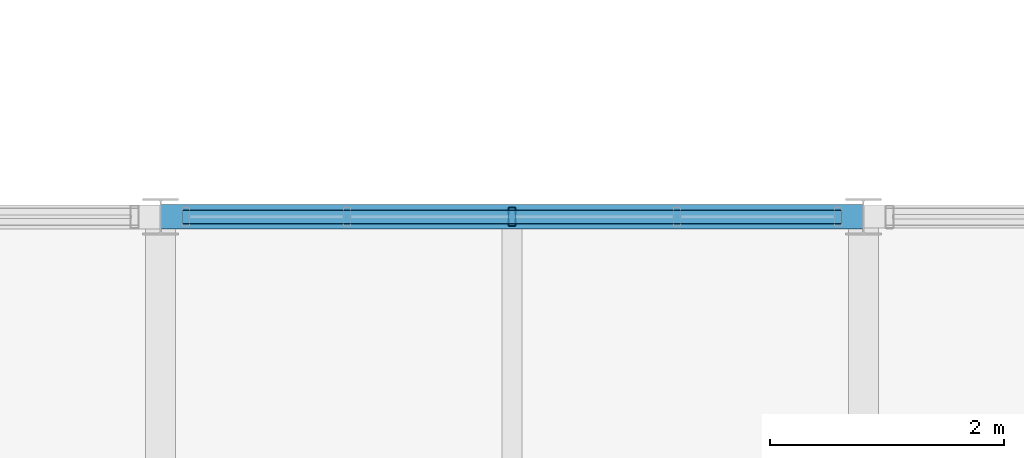
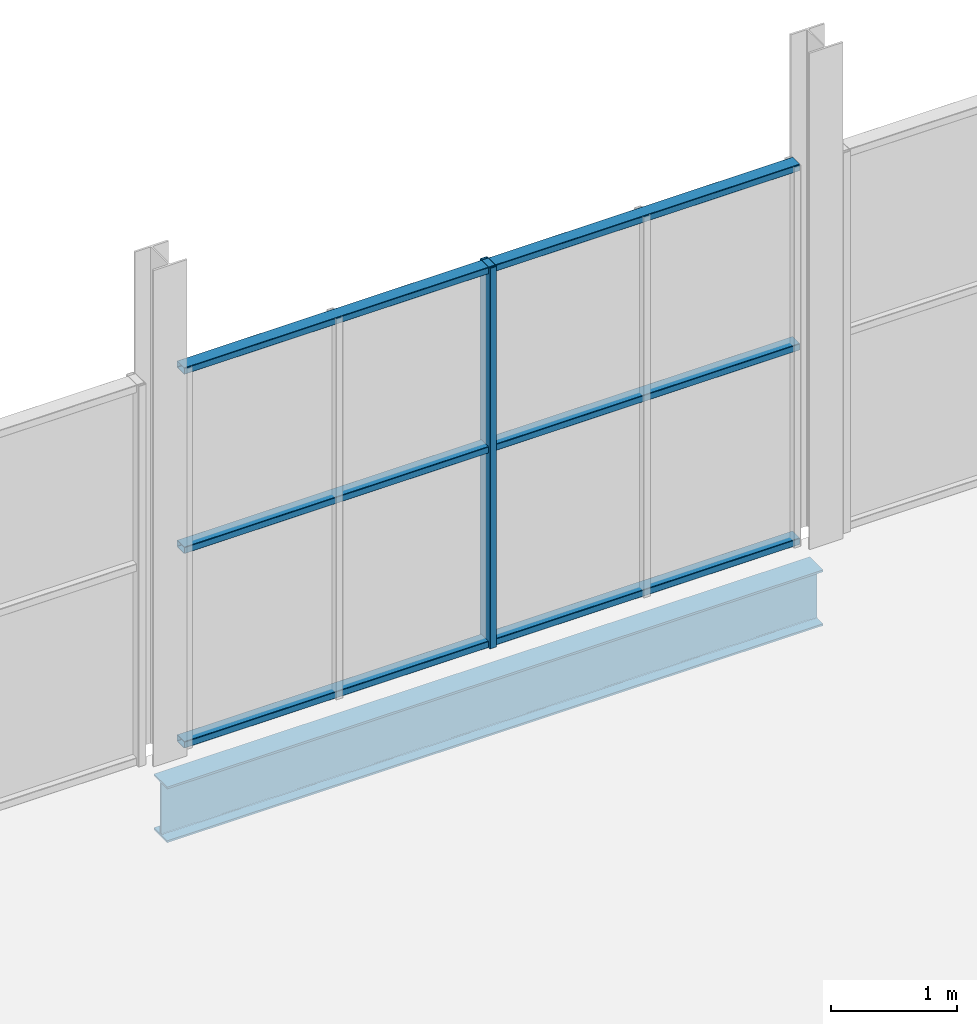
# One storey, part 77 of 114: 4 members, 1 beam, 1 element without a shape of its own.
"""IFC4 building model written with IfcOpenShell, lengths in metres."""

from ifc_helpers import new_model, si_unit, direction, frame, origin, origin_2d, place, context, subcontext, project, spatial, hollow_rectangle, i_section, extrude, material, material_profile, profile_set, type_object, element, aggregate, save


model = new_model("IFC4")

# Units and contexts
model_context = context("Model", 3, precision=1e-05, world=origin(), true_north=direction((0.0, 1.0)))
body_context = subcontext(model_context, "Body", "Model", "MODEL_VIEW")
ifc_project = project(units=[si_unit("LENGTHUNIT", "METRE"), si_unit("AREAUNIT", "SQUARE_METRE"), si_unit("VOLUMEUNIT", "CUBIC_METRE"), si_unit("PLANEANGLEUNIT", "RADIAN"), si_unit("MASSUNIT", "GRAM", prefix="KILO")], contexts=[model_context])

# Site, building, storey
site_placement = place(None, origin())
site = spatial("IfcSite", under=ifc_project, at=site_placement, CompositionType="ELEMENT")
building_placement = place(site_placement, origin())
building = spatial("IfcBuilding", under=site, at=building_placement, Name="Verrall Gate Interchange", CompositionType="ELEMENT")
storey_placement = place(building_placement, frame((0.0, 0.0, 6.60009765625)))
storey = spatial("IfcBuildingStorey", under=building, at=storey_placement, Name="L02", CompositionType="ELEMENT", Elevation=6.60009765625)

# Beam
ifc_material_1 = material(Name="Structural Steel CSA G40.21 350W", Category="steel")
ifc_material_profile_1 = material_profile(ifc_material_1, i_section(OverallWidth=0.2109375, OverallDepth=0.5390625, WebThickness=0.01171875, FlangeThickness=0.018798828125, FilletRadius=0.013916015625, at=origin_2d()), Name="W530x109")
ifc_profile_set_1 = profile_set([ifc_material_profile_1], Name="Structural Steel CSA G40.21 350W")
beam_type = type_object("IfcBeamType", Name="B-10 Structural Beam W530x109", PredefinedType="BEAM", material=ifc_profile_set_1)
beam_placement = place(storey_placement, frame((156.0, 56.0, -0.549560546875), z_axis=(1.0, 0.0, 0.0), x_axis=(0.0, 1.0, 0.0)))
element("IfcBeam", 1, at=beam_placement, inside=storey, type_object=beam_type, Name="L02 Girder BM-L02-1608 (B-10)", PredefinedType="BEAM", context=body_context, shape_type="SweptSolid", body=[
    extrude(i_section(OverallWidth=0.2109375, OverallDepth=0.5390625, WebThickness=0.01171875, FlangeThickness=0.018798828125, FilletRadius=0.013916015625, at=origin_2d()), origin(), (0.0, 0.0, 1.0), 6.0),
])

# Curtain wall, members
ifc_material_2 = material(Name="Thermally Broken Anodized Aluminium Curtain Wall Framing", Category="aluminium")
curtain_wall_type = type_object("IfcCurtainWallType", Name="CW-28 Unitized Curtain Wall 5629x3680", PredefinedType="NOTDEFINED", material=ifc_material_2)
curtain_wall_placement = place(storey_placement, origin())
curtain_wall = element("IfcCurtainWall", 2, at=curtain_wall_placement, inside=storey, type_object=curtain_wall_type, Name="L02 Unitized Curtain Wall CW-L02-096", PredefinedType="NOTDEFINED")
ifc_material_3 = material(Name="Thermally Broken Anodized Aluminium Curtain Wall Framing", Category="aluminium")
ifc_material_profile_2 = material_profile(ifc_material_3, hollow_rectangle(XDim=0.06494140625, YDim=0.159912109375, WallThickness=0.00390625, InnerFilletRadius=0.00390625, OuterFilletRadius=0.008056640625, at=origin_2d()), Name="CWM160x65x4")
ifc_profile_set_2 = profile_set([ifc_material_profile_2], Name="Thermally Broken Anodized Aluminium Curtain Wall Framing")
member_type_1 = type_object("IfcMemberType", Name="CM-01 Curtain Mullion CWM160x65x4", PredefinedType="MULLION", material=ifc_profile_set_2)
member_1_placement = place(storey_placement, frame((159.0, 56.0, 0.0), z_axis=(0.0, 0.0, 1.0), x_axis=(-1.0, 0.0, 0.0)))
member_1 = element("IfcMember", 3, at=member_1_placement, type_object=member_type_1, Name="CW-L02-096 Mullion 3", PredefinedType="MULLION", context=body_context, shape_type="SweptSolid", body=[
    extrude(hollow_rectangle(XDim=0.06494140625, YDim=0.159912109375, WallThickness=0.00390625, InnerFilletRadius=0.00390625, OuterFilletRadius=0.008056640625, at=origin_2d()), origin(), (0.0, 0.0, 1.0), 3.679931640625),
])
ifc_material_4 = material(Name="Thermally Broken Anodized Aluminium Curtain Wall Framing", Category="aluminium")
ifc_material_profile_3 = material_profile(ifc_material_4, hollow_rectangle(XDim=0.1201171875, YDim=0.06494140625, WallThickness=0.00390625, InnerFilletRadius=0.00390625, OuterFilletRadius=0.008056640625, at=origin_2d()), Name="CWT120x65x4")
ifc_profile_set_3 = profile_set([ifc_material_profile_3], Name="Thermally Broken Anodized Aluminium Curtain Wall Framing")
member_type_2 = type_object("IfcMemberType", Name="CT-01 Curtain Transom CWT120x65x4", PredefinedType="USERDEFINED", material=ifc_profile_set_3)
member_2_placement = place(storey_placement, frame((161.814453125, 56.0, 0.032470703125), z_axis=(-1.0, 0.0, 0.0), x_axis=(0.0, -1.0, 0.0)))
member_2 = element("IfcMember", 4, at=member_2_placement, type_object=member_type_2, Name="CW-L02-096 Transom 1", ObjectType="TRANSOM", PredefinedType="USERDEFINED", context=body_context, shape_type="SweptSolid", body=[
    extrude(hollow_rectangle(XDim=0.1201171875, YDim=0.06494140625, WallThickness=0.00390625, InnerFilletRadius=0.00390625, OuterFilletRadius=0.008056640625, at=origin_2d()), origin(), (0.0, 0.0, 1.0), 5.62890625),
])
member_3_placement = place(storey_placement, frame((161.814453125, 56.0, 1.91357421875), z_axis=(-1.0, 0.0, 0.0), x_axis=(0.0, -1.0, 0.0)))
member_3 = element("IfcMember", 5, at=member_3_placement, type_object=member_type_2, Name="CW-L02-096 Transom 2", ObjectType="TRANSOM", PredefinedType="USERDEFINED", context=body_context, shape_type="SweptSolid", body=[
    extrude(hollow_rectangle(XDim=0.1201171875, YDim=0.06494140625, WallThickness=0.00390625, InnerFilletRadius=0.00390625, OuterFilletRadius=0.008056640625, at=origin_2d()), origin(), (0.0, 0.0, 1.0), 5.62890625),
])
member_4_placement = place(storey_placement, frame((161.814453125, 56.0, 3.6474609375), z_axis=(-1.0, 0.0, 0.0), x_axis=(0.0, -1.0, 0.0)))
member_4 = element("IfcMember", 6, at=member_4_placement, type_object=member_type_2, Name="CW-L02-096 Transom 3", ObjectType="TRANSOM", PredefinedType="USERDEFINED", context=body_context, shape_type="SweptSolid", body=[
    extrude(hollow_rectangle(XDim=0.1201171875, YDim=0.06494140625, WallThickness=0.00390625, InnerFilletRadius=0.00390625, OuterFilletRadius=0.008056640625, at=origin_2d()), origin(), (0.0, 0.0, 1.0), 5.62890625),
])
aggregate(curtain_wall, [member_1, member_2, member_3, member_4])

save(model, "model.ifc")
